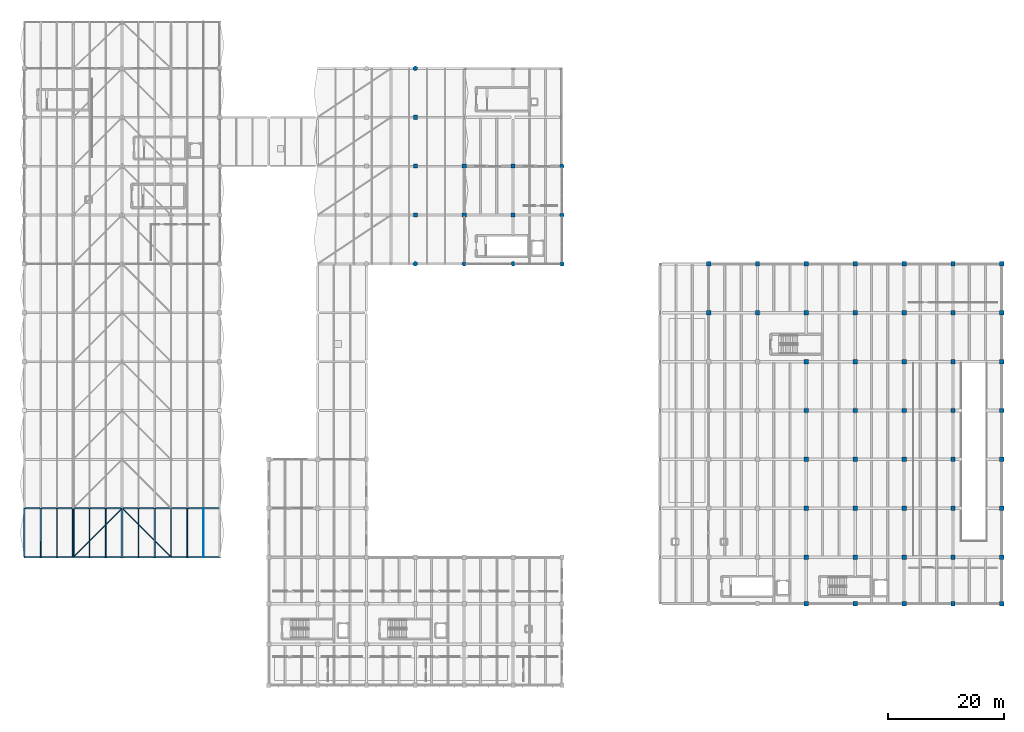
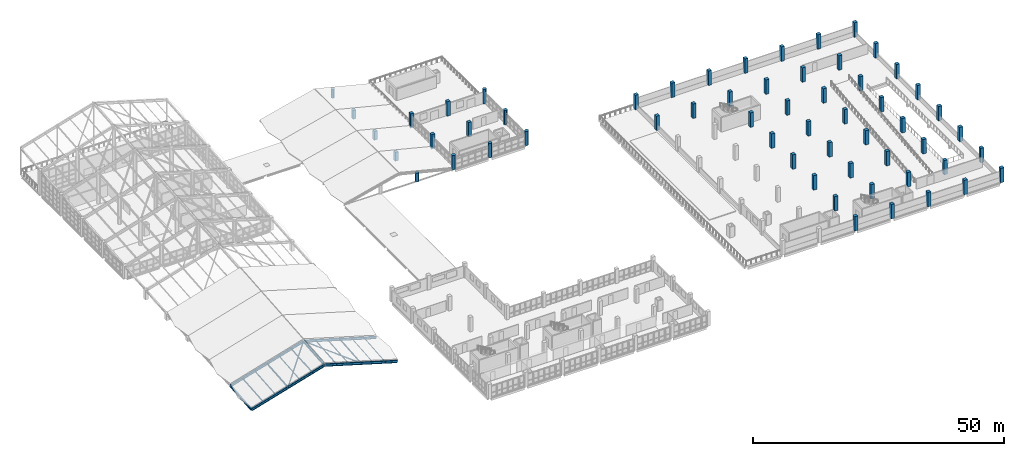
# One storey, part 4 of 95: 58 columns, 18 members.
"""IFC4 building model written with IfcOpenShell, lengths in metres."""

from ifc_helpers import new_model, si_unit, direction, frame, origin, origin_2d, place, context, subcontext, project, spatial, rectangle, hollow_rectangle, circle, hollow_circle, i_section, extrude, material, material_profile, profile_set, type_object, element, save


model = new_model("IFC4")

# Units and contexts
model_context = context("Model", 3, precision=1e-05, world=origin(), true_north=direction((0.0, 1.0)))
body_context = subcontext(model_context, "Body", "Model", "MODEL_VIEW")
ifc_project = project(units=[si_unit("LENGTHUNIT", "METRE"), si_unit("AREAUNIT", "SQUARE_METRE"), si_unit("VOLUMEUNIT", "CUBIC_METRE"), si_unit("PLANEANGLEUNIT", "RADIAN"), si_unit("MASSUNIT", "GRAM", prefix="KILO"), si_unit("THERMODYNAMICTEMPERATUREUNIT", "KELVIN"), si_unit("POWERUNIT", "WATT")], contexts=[model_context])

# Site, building, storey
site_placement = place(None, origin())
site = spatial("IfcSite", under=ifc_project, at=site_placement, CompositionType="ELEMENT")
building_placement = place(site_placement, origin())
building = spatial("IfcBuilding", under=site, at=building_placement, Name="Mavoryth Pier Ferry Terminal", CompositionType="ELEMENT")
storey_placement = place(building_placement, frame((0.0, 0.0, 9.60009765625)))
storey = spatial("IfcBuildingStorey", under=building, at=storey_placement, Name="L02", CompositionType="ELEMENT", Elevation=9.60009765625)

# Columns
ifc_material_1 = material(Name="Concrete C40/50", Category="concrete")
ifc_material_profile_1 = material_profile(ifc_material_1, circle(Radius=0.389892578125, at=origin_2d()), Name="RC D780", Category="concrete")
ifc_profile_set_1 = profile_set([ifc_material_profile_1], Name="Concrete C40/50 - RC D780")
column_type_1 = type_object("IfcColumnType", Name="Col-Pilotis-D780", PredefinedType="COLUMN", material=ifc_profile_set_1)
for number, where, z_axis, x_axis, name in (
    (1, (67.199951171875, 72.39990234375, 0.0), (0.0, 0.0, 1.0), (1.0, 0.0, 0.0), "Column C02-CC03-245"),
    (2, (67.199951171875, 106.0, 0.0), (0.0, 0.0, 1.0), (1.0, 0.0, 0.0), "Column C02-CC03-249"),
):
    element("IfcColumn", number, at=place(storey_placement, frame(where, z_axis=z_axis, x_axis=x_axis)), inside=storey, type_object=column_type_1, Name=name, PredefinedType="COLUMN", context=body_context, shape_type="SweptSolid", body=[
        extrude(circle(Radius=0.389892578125, at=origin_2d()), origin(), (0.0, 0.0, 1.0), 2.143798828125),
    ])
for number, where, z_axis, x_axis, name in (
    (3, (75.60009765625, 72.39990234375, 0.0), (0.0, 0.0, 1.0), (1.0, 0.0, 0.0), "Column C02-CC03-250"),
    (4, (84.0, 72.39990234375, 0.0), (0.0, 0.0, 1.0), (1.0, 0.0, 0.0), "Column C02-CC03-253"),
    (5, (92.39990234375, 72.39990234375, 0.0), (0.0, 0.0, 1.0), (1.0, 0.0, 0.0), "Column C02-CC03-256"),
    (6, (92.39990234375, 80.800048828125, 0.0), (0.0, 0.0, 1.0), (1.0, 0.0, 0.0), "Column C02-CC03-257"),
    (7, (92.39990234375, 89.199951171875, 0.0), (0.0, 0.0, 1.0), (1.0, 0.0, 0.0), "Column C02-CC03-258"),
):
    element("IfcColumn", number, at=place(storey_placement, frame(where, z_axis=z_axis, x_axis=x_axis)), inside=storey, type_object=column_type_1, Name=name, PredefinedType="COLUMN", context=body_context, shape_type="SweptSolid", body=[
        extrude(circle(Radius=0.389892578125, at=origin_2d()), origin(), (0.0, 0.0, 1.0), 3.52001953125),
    ])
ifc_material_profile_2 = material_profile(ifc_material_1, rectangle(XDim=0.699951171875, YDim=0.699951171875, at=origin_2d()), Name="RC 700x700", Category="concrete")
ifc_profile_set_2 = profile_set([ifc_material_profile_2], Name="Concrete C40/50 - RC 700x700")
column_type_2 = type_object("IfcColumnType", Name="Col-RC-700x700", PredefinedType="COLUMN", material=ifc_profile_set_2)
for number, where, z_axis, x_axis, name in (
    (8, (67.199951171875, 80.800048828125, 0.0), (0.0, 0.0, 1.0), (1.0, 0.0, 0.0), "Column C02-CC09-246"),
    (9, (67.199951171875, 89.199951171875, 0.0), (0.0, 0.0, 1.0), (1.0, 0.0, 0.0), "Column C02-CC09-247"),
    (10, (67.199951171875, 97.60009765625, 0.0), (0.0, 0.0, 1.0), (1.0, 0.0, 0.0), "Column C02-CC09-248"),
):
    element("IfcColumn", number, at=place(storey_placement, frame(where, z_axis=z_axis, x_axis=x_axis)), inside=storey, type_object=column_type_2, Name=name, PredefinedType="COLUMN", context=body_context, shape_type="SweptSolid", body=[
        extrude(rectangle(XDim=0.699951171875, YDim=0.699951171875, at=origin_2d()), origin(), (0.0, 0.0, 1.0), 2.143798828125),
    ])
for number, where, z_axis, x_axis, name in (
    (11, (75.60009765625, 80.800048828125, 0.0), (0.0, 0.0, 1.0), (1.0, 0.0, 0.0), "Column C02-CC09-251"),
    (12, (75.60009765625, 89.199951171875, 0.0), (0.0, 0.0, 1.0), (1.0, 0.0, 0.0), "Column C02-CC09-252"),
    (13, (84.0, 80.800048828125, 0.0), (0.0, 0.0, 1.0), (1.0, 0.0, 0.0), "Column C02-CC09-254"),
    (14, (84.0, 89.199951171875, 0.0), (0.0, 0.0, 1.0), (1.0, 0.0, 0.0), "Column C02-CC09-255"),
):
    element("IfcColumn", number, at=place(storey_placement, frame(where, z_axis=z_axis, x_axis=x_axis)), inside=storey, type_object=column_type_2, Name=name, PredefinedType="COLUMN", context=body_context, shape_type="SweptSolid", body=[
        extrude(rectangle(XDim=0.699951171875, YDim=0.699951171875, at=origin_2d()), origin(), (0.0, 0.0, 1.0), 3.52001953125),
    ])
ifc_material_profile_3 = material_profile(ifc_material_1, rectangle(XDim=0.75, YDim=0.75, at=origin_2d()), Name="RC 750x750", Category="concrete")
ifc_profile_set_3 = profile_set([ifc_material_profile_3], Name="Concrete C40/50 - RC 750x750")
column_type_3 = type_object("IfcColumnType", Name="Col-RC-750x750", PredefinedType="COLUMN", material=ifc_profile_set_3)
for number, where, z_axis, x_axis, name in (
    (15, (117.60009765625, 64.0, 0.0), (0.0, 0.0, 1.0), (1.0, 0.0, 0.0), "Column C02-CC10-433"),
    (16, (117.60009765625, 72.39990234375, 0.0), (0.0, 0.0, 1.0), (1.0, 0.0, 0.0), "Column C02-CC10-434"),
    (17, (126.0, 64.0, 0.0), (0.0, 0.0, 1.0), (1.0, 0.0, 0.0), "Column C02-CC10-441"),
    (18, (126.0, 72.39990234375, 0.0), (0.0, 0.0, 1.0), (1.0, 0.0, 0.0), "Column C02-CC10-442"),
    (19, (134.39990234375, 14.0, 0.0), (0.0, 0.0, 1.0), (1.0, 0.0, 0.0), "Column C02-CC10-443"),
    (20, (134.39990234375, 22.0, 0.0), (0.0, 0.0, 1.0), (1.0, 0.0, 0.0), "Column C02-CC10-444"),
    (21, (134.39990234375, 30.39990234375, 0.0), (0.0, 0.0, 1.0), (1.0, 0.0, 0.0), "Column C02-CC10-445"),
    (22, (134.39990234375, 38.800048828125, 0.0), (0.0, 0.0, 1.0), (1.0, 0.0, 0.0), "Column C02-CC10-446"),
    (23, (134.39990234375, 47.199951171875, 0.0), (0.0, 0.0, 1.0), (1.0, 0.0, 0.0), "Column C02-CC10-447"),
    (24, (134.39990234375, 55.60009765625, 0.0), (0.0, 0.0, 1.0), (1.0, 0.0, 0.0), "Column C02-CC10-448"),
    (25, (134.39990234375, 64.0, 0.0), (0.0, 0.0, 1.0), (1.0, 0.0, 0.0), "Column C02-CC10-449"),
    (26, (134.39990234375, 72.39990234375, 0.0), (0.0, 0.0, 1.0), (1.0, 0.0, 0.0), "Column C02-CC10-450"),
    (27, (142.800048828125, 14.0, 0.0), (0.0, 0.0, 1.0), (1.0, 0.0, 0.0), "Column C02-CC10-451"),
    (28, (142.800048828125, 22.0, 0.0), (0.0, 0.0, 1.0), (1.0, 0.0, 0.0), "Column C02-CC10-452"),
    (29, (142.800048828125, 30.39990234375, 0.0), (0.0, 0.0, 1.0), (1.0, 0.0, 0.0), "Column C02-CC10-453"),
    (30, (142.800048828125, 38.800048828125, 0.0), (0.0, 0.0, 1.0), (1.0, 0.0, 0.0), "Column C02-CC10-454"),
    (31, (142.800048828125, 47.199951171875, 0.0), (0.0, 0.0, 1.0), (1.0, 0.0, 0.0), "Column C02-CC10-455"),
    (32, (142.800048828125, 55.60009765625, 0.0), (0.0, 0.0, 1.0), (1.0, 0.0, 0.0), "Column C02-CC10-456"),
    (33, (142.800048828125, 64.0, 0.0), (0.0, 0.0, 1.0), (1.0, 0.0, 0.0), "Column C02-CC10-457"),
    (34, (142.800048828125, 72.39990234375, 0.0), (0.0, 0.0, 1.0), (1.0, 0.0, 0.0), "Column C02-CC10-458"),
    (35, (151.199951171875, 14.0, 0.0), (0.0, 0.0, 1.0), (1.0, 0.0, 0.0), "Column C02-CC10-459"),
    (36, (151.199951171875, 22.0, 0.0), (0.0, 0.0, 1.0), (1.0, 0.0, 0.0), "Column C02-CC10-460"),
    (37, (151.199951171875, 30.39990234375, 0.0), (0.0, 0.0, 1.0), (1.0, 0.0, 0.0), "Column C02-CC10-461"),
    (38, (151.199951171875, 38.800048828125, 0.0), (0.0, 0.0, 1.0), (1.0, 0.0, 0.0), "Column C02-CC10-462"),
    (39, (151.199951171875, 47.199951171875, 0.0), (0.0, 0.0, 1.0), (1.0, 0.0, 0.0), "Column C02-CC10-463"),
    (40, (151.199951171875, 55.60009765625, 0.0), (0.0, 0.0, 1.0), (1.0, 0.0, 0.0), "Column C02-CC10-464"),
    (41, (151.199951171875, 64.0, 0.0), (0.0, 0.0, 1.0), (1.0, 0.0, 0.0), "Column C02-CC10-465"),
    (42, (151.199951171875, 72.39990234375, 0.0), (0.0, 0.0, 1.0), (1.0, 0.0, 0.0), "Column C02-CC10-466"),
    (43, (159.60009765625, 14.0, 0.0), (0.0, 0.0, 1.0), (1.0, 0.0, 0.0), "Column C02-CC10-467"),
    (44, (159.60009765625, 22.0, 0.0), (0.0, 0.0, 1.0), (1.0, 0.0, 0.0), "Column C02-CC10-468"),
    (45, (159.60009765625, 30.39990234375, 0.0), (0.0, 0.0, 1.0), (1.0, 0.0, 0.0), "Column C02-CC10-469"),
    (46, (159.60009765625, 38.800048828125, 0.0), (0.0, 0.0, 1.0), (1.0, 0.0, 0.0), "Column C02-CC10-470"),
    (47, (159.60009765625, 47.199951171875, 0.0), (0.0, 0.0, 1.0), (1.0, 0.0, 0.0), "Column C02-CC10-471"),
    (48, (159.60009765625, 55.60009765625, 0.0), (0.0, 0.0, 1.0), (1.0, 0.0, 0.0), "Column C02-CC10-472"),
    (49, (159.60009765625, 64.0, 0.0), (0.0, 0.0, 1.0), (1.0, 0.0, 0.0), "Column C02-CC10-473"),
    (50, (159.60009765625, 72.39990234375, 0.0), (0.0, 0.0, 1.0), (1.0, 0.0, 0.0), "Column C02-CC10-474"),
    (51, (168.0, 14.0, 0.0), (0.0, 0.0, 1.0), (1.0, 0.0, 0.0), "Column C02-CC10-475"),
    (52, (168.0, 22.0, 0.0), (0.0, 0.0, 1.0), (1.0, 0.0, 0.0), "Column C02-CC10-476"),
    (53, (168.0, 30.39990234375, 0.0), (0.0, 0.0, 1.0), (1.0, 0.0, 0.0), "Column C02-CC10-477"),
    (54, (168.0, 38.800048828125, 0.0), (0.0, 0.0, 1.0), (1.0, 0.0, 0.0), "Column C02-CC10-478"),
    (55, (168.0, 47.199951171875, 0.0), (0.0, 0.0, 1.0), (1.0, 0.0, 0.0), "Column C02-CC10-479"),
    (56, (168.0, 55.60009765625, 0.0), (0.0, 0.0, 1.0), (1.0, 0.0, 0.0), "Column C02-CC10-480"),
    (57, (168.0, 64.0, 0.0), (0.0, 0.0, 1.0), (1.0, 0.0, 0.0), "Column C02-CC10-481"),
    (58, (168.0, 72.39990234375, 0.0), (0.0, 0.0, 1.0), (1.0, 0.0, 0.0), "Column C02-CC10-482"),
):
    element("IfcColumn", number, at=place(storey_placement, frame(where, z_axis=z_axis, x_axis=x_axis)), inside=storey, type_object=column_type_3, Name=name, PredefinedType="COLUMN", context=body_context, shape_type="SweptSolid", body=[
        extrude(rectangle(XDim=0.75, YDim=0.75, at=origin_2d()), origin(), (0.0, 0.0, 1.0), 3.52001953125),
    ])

# Members
ifc_material_2 = material(Name="Steel S355J2", Category="steel")
ifc_material_profile_4 = material_profile(ifc_material_2, hollow_circle(Radius=0.096923828125, WallThickness=0.010009765625, at=origin_2d()), Name="CHS 193.7x10.0", Category="steel")
ifc_profile_set_4 = profile_set([ifc_material_profile_4], Name="Steel S355J2 - CHS 193.7x10.0")
member_type_1 = type_object("IfcMemberType", Name="Brace-Plan-CHS194", PredefinedType="BRACE", material=ifc_profile_set_4)
member_1_placement = place(storey_placement, frame((25.199951171875, 22.0, 0.94140625), z_axis=(-0.682878207153, 0.682878207153, 0.259527856674), x_axis=(-0.707106781187, -0.707106781187, 0.0)))
element("IfcMember", 59, at=member_1_placement, inside=storey, type_object=member_type_1, Name="Steel Member MB-L02-0039", PredefinedType="BRACE", context=body_context, shape_type="SweptSolid", body=[
    extrude(hollow_circle(Radius=0.096923828125, WallThickness=0.010009765625, at=origin_2d()), origin(), (0.0, 0.0, 1.0), 12.30078125),
])
ifc_material_profile_5 = material_profile(ifc_material_2, hollow_circle(Radius=0.084228515625, WallThickness=0.008056640625, at=origin_2d()), Name="CHS 168.3x8.0", Category="steel")
ifc_profile_set_5 = profile_set([ifc_material_profile_5], Name="Steel S355J2 - CHS 168.3x8.0")
member_type_2 = type_object("IfcMemberType", Name="Brace-Roof-CHS168", PredefinedType="BRACE", material=ifc_profile_set_5)
member_2_placement = place(storey_placement, frame((8.39990234375, 22.0, 0.94140625), z_axis=(0.682888799179, 0.682868951799, 0.259524339177), x_axis=(-0.707096505339, 0.707117056885, 0.0)))
element("IfcMember", 60, at=member_2_placement, inside=storey, type_object=member_type_2, Name="Steel Member MB-L02-0038", PredefinedType="BRACE", context=body_context, shape_type="SweptSolid", body=[
    extrude(hollow_circle(Radius=0.084228515625, WallThickness=0.008056640625, at=origin_2d()), origin(), (0.0, 0.0, 1.0), 12.30078125),
])
ifc_material_profile_6 = material_profile(ifc_material_2, i_section(OverallWidth=0.300048828125, OverallDepth=0.449951171875, WebThickness=0.013916015625, FlangeThickness=0.02587890625, FilletRadius=0.027099609375, at=origin_2d()), Name="HEB 450", Category="steel")
ifc_profile_set_6 = profile_set([ifc_material_profile_6], Name="Steel S355J2 - HEB 450")
member_type_3 = type_object("IfcMemberType", Name="Chord-Eave-HEB450", PredefinedType="CHORD", material=ifc_profile_set_6)
member_3_placement = place(storey_placement, frame((0.0, 22.0, -1.556884765625), z_axis=(0.0, 0.9964033157, 0.084737432475), x_axis=(-1.0, 0.0, 0.0)))
element("IfcMember", 61, at=member_3_placement, inside=storey, type_object=member_type_3, Name="Steel Member MB-L02-0025", PredefinedType="CHORD", context=body_context, shape_type="SweptSolid", body=[
    extrude(i_section(OverallWidth=0.300048828125, OverallDepth=0.449951171875, WebThickness=0.013916015625, FlangeThickness=0.02587890625, FilletRadius=0.027099609375, at=origin_2d()), origin(), (0.0, 0.0, 1.0), 8.43017578125),
])
ifc_material_profile_7 = material_profile(ifc_material_2, hollow_rectangle(XDim=0.199951171875, YDim=0.300048828125, WallThickness=0.012451171875, InnerFilletRadius=0.012451171875, OuterFilletRadius=0.02490234375, at=origin_2d()), Name="RHS 300x200x12.5", Category="steel")
ifc_profile_set_7 = profile_set([ifc_material_profile_7], Name="Steel S355J2 - RHS 300x200x12.5")
member_type_4 = type_object("IfcMemberType", Name="Chord-Edge-RHS300", PredefinedType="CHORD", material=ifc_profile_set_7)
member_4_placement = place(storey_placement, frame((25.199951171875, 22.0, 0.94140625), z_axis=(0.0, 0.9964033157, 0.084737432475), x_axis=(-1.0, 0.0, 0.0)))
element("IfcMember", 62, at=member_4_placement, inside=storey, type_object=member_type_4, Name="Steel Member MB-L02-0029", PredefinedType="CHORD", context=body_context, shape_type="SweptSolid", body=[
    extrude(hollow_rectangle(XDim=0.199951171875, YDim=0.300048828125, WallThickness=0.012451171875, InnerFilletRadius=0.012451171875, OuterFilletRadius=0.02490234375, at=origin_2d()), origin(), (0.0, 0.0, 1.0), 8.43017578125),
])
ifc_material_profile_8 = material_profile(ifc_material_2, i_section(OverallWidth=0.300048828125, OverallDepth=0.489990234375, WebThickness=0.011962890625, FlangeThickness=0.02294921875, FilletRadius=0.027099609375, at=origin_2d()), Name="HEA 500", Category="steel")
ifc_profile_set_8 = profile_set([ifc_material_profile_8], Name="Steel S355J2 - HEA 500")
member_type_5 = type_object("IfcMemberType", Name="Chord-Ridge-HEA500", PredefinedType="CHORD", material=ifc_profile_set_8)
member_5_placement = place(storey_placement, frame((16.800048828125, 22.0, 3.419677734375), z_axis=(0.0, 0.996405760474, 0.084708680154), x_axis=(-1.0, 0.0, 0.0)))
element("IfcMember", 63, at=member_5_placement, inside=storey, type_object=member_type_5, Name="Steel Member MB-L02-0026", PredefinedType="CHORD", context=body_context, shape_type="SweptSolid", body=[
    extrude(i_section(OverallWidth=0.300048828125, OverallDepth=0.489990234375, WebThickness=0.011962890625, FlangeThickness=0.02294921875, FilletRadius=0.027099609375, at=origin_2d()), origin(), (0.0, 0.0, 1.0), 8.43017578125),
])
ifc_material_profile_9 = material_profile(ifc_material_2, hollow_circle(Radius=0.177734375, WallThickness=0.01611328125, at=origin_2d()), Name="CHS 355.6x16.0", Category="steel")
ifc_profile_set_9 = profile_set([ifc_material_profile_9], Name="Steel S355J2 - CHS 355.6x16.0")
member_type_6 = type_object("IfcMemberType", Name="Chord-Valley-CHS356", PredefinedType="CHORD", material=ifc_profile_set_9)
member_6_placement = place(storey_placement, frame((8.39990234375, 22.0, 0.94140625), z_axis=(0.0, 0.9964033157, 0.084737432475), x_axis=(-1.0, 0.0, 0.0)))
element("IfcMember", 64, at=member_6_placement, inside=storey, type_object=member_type_6, Name="Steel Member MB-L02-0028", PredefinedType="CHORD", context=body_context, shape_type="SweptSolid", body=[
    extrude(hollow_circle(Radius=0.177734375, WallThickness=0.01611328125, at=origin_2d()), origin(), (0.0, 0.0, 1.0), 8.43017578125),
])
ifc_material_profile_10 = material_profile(ifc_material_2, i_section(OverallWidth=0.10009765625, OverallDepth=0.199951171875, WebThickness=0.005615234375, FlangeThickness=0.008544921875, FilletRadius=0.011962890625, at=origin_2d()), Name="IPE 200", Category="steel")
ifc_profile_set_10 = profile_set([ifc_material_profile_10], Name="Steel S355J2 - IPE 200")
member_type_7 = type_object("IfcMemberType", Name="Purlin-Roof-IPE200", PredefinedType="PURLIN", material=ifc_profile_set_10)
member_7_placement = place(storey_placement, frame((19.60009765625, 22.0, 2.587158203125), z_axis=(0.0, 0.9964033157, 0.084737432475), x_axis=(-1.0, 0.0, 0.0)))
element("IfcMember", 65, at=member_7_placement, inside=storey, type_object=member_type_7, Name="Steel Member MB-L02-0034", PredefinedType="PURLIN", context=body_context, shape_type="SweptSolid", body=[
    extrude(i_section(OverallWidth=0.10009765625, OverallDepth=0.199951171875, WebThickness=0.005615234375, FlangeThickness=0.008544921875, FilletRadius=0.011962890625, at=origin_2d()), origin(), (0.0, 0.0, 1.0), 8.43017578125),
])
ifc_material_profile_11 = material_profile(ifc_material_2, i_section(OverallWidth=0.110107421875, OverallDepth=0.219970703125, WebThickness=0.005859375, FlangeThickness=0.00927734375, FilletRadius=0.011962890625, at=origin_2d()), Name="IPE 220", Category="steel")
ifc_profile_set_11 = profile_set([ifc_material_profile_11], Name="Steel S355J2 - IPE 220")
member_type_8 = type_object("IfcMemberType", Name="Purlin-Roof-IPE220", PredefinedType="PURLIN", material=ifc_profile_set_11)
member_8_placement = place(storey_placement, frame((14.0, 22.0, 2.587158203125), z_axis=(0.0, 0.9964033157, 0.084737432475), x_axis=(-1.0, 0.0, 0.0)))
element("IfcMember", 66, at=member_8_placement, inside=storey, type_object=member_type_8, Name="Steel Member MB-L02-0033", PredefinedType="PURLIN", context=body_context, shape_type="SweptSolid", body=[
    extrude(i_section(OverallWidth=0.110107421875, OverallDepth=0.219970703125, WebThickness=0.005859375, FlangeThickness=0.00927734375, FilletRadius=0.011962890625, at=origin_2d()), origin(), (0.0, 0.0, 1.0), 8.43017578125),
])
ifc_material_profile_12 = material_profile(ifc_material_2, i_section(OverallWidth=0.1201171875, OverallDepth=0.239990234375, WebThickness=0.006103515625, FlangeThickness=0.009765625, FilletRadius=0.014892578125, at=origin_2d()), Name="IPE 240", Category="steel")
ifc_profile_set_12 = profile_set([ifc_material_profile_12], Name="Steel S355J2 - IPE 240")
member_type_9 = type_object("IfcMemberType", Name="Purlin-Roof-IPE240", PredefinedType="PURLIN", material=ifc_profile_set_12)
member_9_placement = place(storey_placement, frame((11.199951171875, 22.0, 1.75439453125), z_axis=(0.0, 0.996405760474, 0.084708680154), x_axis=(-1.0, 0.0, 0.0)))
element("IfcMember", 67, at=member_9_placement, inside=storey, type_object=member_type_9, Name="Steel Member MB-L02-0032", PredefinedType="PURLIN", context=body_context, shape_type="SweptSolid", body=[
    extrude(i_section(OverallWidth=0.1201171875, OverallDepth=0.239990234375, WebThickness=0.006103515625, FlangeThickness=0.009765625, FilletRadius=0.014892578125, at=origin_2d()), origin(), (0.0, 0.0, 1.0), 8.43017578125),
])
ifc_material_profile_13 = material_profile(ifc_material_2, i_section(OverallWidth=0.135009765625, OverallDepth=0.27001953125, WebThickness=0.006591796875, FlangeThickness=0.01025390625, FilletRadius=0.014892578125, at=origin_2d()), Name="IPE 270", Category="steel")
ifc_profile_set_13 = profile_set([ifc_material_profile_13], Name="Steel S355J2 - IPE 270")
member_type_10 = type_object("IfcMemberType", Name="Purlin-Roof-IPE270", PredefinedType="PURLIN", material=ifc_profile_set_13)
member_10_placement = place(storey_placement, frame((5.60009765625, 22.0, 0.088623046875), z_axis=(0.0, 0.996400870108, 0.084766184584), x_axis=(-1.0, 0.0, 0.0)))
element("IfcMember", 68, at=member_10_placement, inside=storey, type_object=member_type_10, Name="Steel Member MB-L02-0031", PredefinedType="PURLIN", context=body_context, shape_type="SweptSolid", body=[
    extrude(i_section(OverallWidth=0.135009765625, OverallDepth=0.27001953125, WebThickness=0.006591796875, FlangeThickness=0.01025390625, FilletRadius=0.014892578125, at=origin_2d()), origin(), (0.0, 0.0, 1.0), 8.43017578125),
])
ifc_material_profile_14 = material_profile(ifc_material_2, i_section(OverallWidth=0.14990234375, OverallDepth=0.300048828125, WebThickness=0.007080078125, FlangeThickness=0.0107421875, FilletRadius=0.014892578125, at=origin_2d()), Name="IPE 300", Category="steel")
ifc_profile_set_14 = profile_set([ifc_material_profile_14], Name="Steel S355J2 - IPE 300")
member_type_11 = type_object("IfcMemberType", Name="Purlin-Roof-IPE300", PredefinedType="PURLIN", material=ifc_profile_set_14)
member_11_placement = place(storey_placement, frame((2.800048828125, 22.0, -0.743896484375), z_axis=(0.0, 0.996405760474, 0.084708680154), x_axis=(-1.0, 0.0, 0.0)))
element("IfcMember", 69, at=member_11_placement, inside=storey, type_object=member_type_11, Name="Steel Member MB-L02-0030", PredefinedType="PURLIN", context=body_context, shape_type="SweptSolid", body=[
    extrude(i_section(OverallWidth=0.14990234375, OverallDepth=0.300048828125, WebThickness=0.007080078125, FlangeThickness=0.0107421875, FilletRadius=0.014892578125, at=origin_2d()), origin(), (0.0, 0.0, 1.0), 8.43017578125),
])
ifc_material_profile_15 = material_profile(ifc_material_2, hollow_rectangle(XDim=0.080078125, YDim=0.159912109375, WallThickness=0.00634765625, InnerFilletRadius=0.00634765625, OuterFilletRadius=0.0126953125, at=origin_2d()), Name="RHS 160x80x6.3", Category="steel")
ifc_profile_set_15 = profile_set([ifc_material_profile_15], Name="Steel S355J2 - RHS 160x80x6.3")
member_type_12 = type_object("IfcMemberType", Name="Purlin-Tube-RHS160", PredefinedType="PURLIN", material=ifc_profile_set_15)
member_12_placement = place(storey_placement, frame((30.800048828125, 22.0, -0.743896484375), z_axis=(0.0, 0.996405760474, 0.084708680154), x_axis=(-1.0, 0.0, 0.0)))
element("IfcMember", 70, at=member_12_placement, inside=storey, type_object=member_type_12, Name="Steel Member MB-L02-0037", PredefinedType="PURLIN", context=body_context, shape_type="SweptSolid", body=[
    extrude(hollow_rectangle(XDim=0.080078125, YDim=0.159912109375, WallThickness=0.00634765625, InnerFilletRadius=0.00634765625, OuterFilletRadius=0.0126953125, at=origin_2d()), origin(), (0.0, 0.0, 1.0), 8.43017578125),
])
ifc_material_profile_16 = material_profile(ifc_material_2, hollow_rectangle(XDim=0.10009765625, YDim=0.199951171875, WallThickness=0.008056640625, InnerFilletRadius=0.008056640625, OuterFilletRadius=0.01611328125, at=origin_2d()), Name="RHS 200x100x8.0", Category="steel")
ifc_profile_set_16 = profile_set([ifc_material_profile_16], Name="Steel S355J2 - RHS 200x100x8.0")
member_type_13 = type_object("IfcMemberType", Name="Purlin-Tube-RHS200", PredefinedType="PURLIN", material=ifc_profile_set_16)
member_13_placement = place(storey_placement, frame((28.0, 22.0, 0.088623046875), z_axis=(0.0, 0.996400870108, 0.084766184584), x_axis=(-1.0, 0.0, 0.0)))
element("IfcMember", 71, at=member_13_placement, inside=storey, type_object=member_type_13, Name="Steel Member MB-L02-0036", PredefinedType="PURLIN", context=body_context, shape_type="SweptSolid", body=[
    extrude(hollow_rectangle(XDim=0.10009765625, YDim=0.199951171875, WallThickness=0.008056640625, InnerFilletRadius=0.008056640625, OuterFilletRadius=0.01611328125, at=origin_2d()), origin(), (0.0, 0.0, 1.0), 8.43017578125),
])
ifc_material_profile_17 = material_profile(ifc_material_2, hollow_rectangle(XDim=0.14990234375, YDim=0.25, WallThickness=0.010009765625, InnerFilletRadius=0.010009765625, OuterFilletRadius=0.02001953125, at=origin_2d()), Name="RHS 250x150x10.0", Category="steel")
ifc_profile_set_17 = profile_set([ifc_material_profile_17], Name="Steel S355J2 - RHS 250x150x10.0")
member_type_14 = type_object("IfcMemberType", Name="Purlin-Tube-RHS250", PredefinedType="PURLIN", material=ifc_profile_set_17)
member_14_placement = place(storey_placement, frame((22.39990234375, 22.0, 1.75439453125), z_axis=(0.0, 0.996405760474, 0.084708680154), x_axis=(-1.0, 0.0, 0.0)))
element("IfcMember", 72, at=member_14_placement, inside=storey, type_object=member_type_14, Name="Steel Member MB-L02-0035", PredefinedType="PURLIN", context=body_context, shape_type="SweptSolid", body=[
    extrude(hollow_rectangle(XDim=0.14990234375, YDim=0.25, WallThickness=0.010009765625, InnerFilletRadius=0.010009765625, OuterFilletRadius=0.02001953125, at=origin_2d()), origin(), (0.0, 0.0, 1.0), 8.43017578125),
])
ifc_material_profile_18 = material_profile(ifc_material_2, i_section(OverallWidth=0.300048828125, OverallDepth=0.550048828125, WebThickness=0.014892578125, FlangeThickness=0.029052734375, FilletRadius=0.027099609375, at=origin_2d()), Name="HEB 550", Category="steel")
ifc_profile_set_18 = profile_set([ifc_material_profile_18], Name="Steel S355J2 - HEB 550")
member_type_15 = type_object("IfcMemberType", Name="Rafter-Folded-HEB550", PredefinedType="RAFTER", material=ifc_profile_set_18)
for number, where, z_axis, x_axis, name in (
    (73, (0.0, 30.39990234375, -0.842529296875), (0.958821022036, 0.0, 0.284010999261), (0.0, 1.0, 0.0), "Steel Member MB-L02-0003"),
    (74, (16.800048828125, 30.39990234375, 4.1337890625), (0.958821022036, 0.0, -0.284010999261), (0.0, 1.0, 0.0), "Steel Member MB-L02-0004"),
):
    element("IfcMember", number, at=place(storey_placement, frame(where, z_axis=z_axis, x_axis=x_axis)), inside=storey, type_object=member_type_15, Name=name, PredefinedType="RAFTER", context=body_context, shape_type="SweptSolid", body=[
        extrude(i_section(OverallWidth=0.300048828125, OverallDepth=0.550048828125, WebThickness=0.014892578125, FlangeThickness=0.029052734375, FilletRadius=0.027099609375, at=origin_2d()), origin(), (0.0, 0.0, 1.0), 17.521484375),
    ])
ifc_material_profile_19 = material_profile(ifc_material_2, i_section(OverallWidth=0.300048828125, OverallDepth=0.60009765625, WebThickness=0.015380859375, FlangeThickness=0.030029296875, FilletRadius=0.027099609375, at=origin_2d()), Name="HEB 600", Category="steel")
ifc_profile_set_19 = profile_set([ifc_material_profile_19], Name="Steel S355J2 - HEB 600")
member_type_16 = type_object("IfcMemberType", Name="Rafter-Folded-HEB600", PredefinedType="RAFTER", material=ifc_profile_set_19)
for number, where, z_axis, x_axis, name in (
    (75, (0.0, 22.0, -1.556884765625), (0.958817227595, 0.0, 0.284023808979), (0.0, 1.0, 0.0), "Steel Member MB-L02-0001"),
    (76, (16.800048828125, 22.0, 3.419677734375), (0.958817227595, 0.0, -0.284023808979), (0.0, 1.0, 0.0), "Steel Member MB-L02-0002"),
):
    element("IfcMember", number, at=place(storey_placement, frame(where, z_axis=z_axis, x_axis=x_axis)), inside=storey, type_object=member_type_16, Name=name, PredefinedType="RAFTER", context=body_context, shape_type="SweptSolid", body=[
        extrude(i_section(OverallWidth=0.300048828125, OverallDepth=0.60009765625, WebThickness=0.015380859375, FlangeThickness=0.030029296875, FilletRadius=0.027099609375, at=origin_2d()), origin(), (0.0, 0.0, 1.0), 17.521728515625),
    ])

save(model, "model.ifc")
